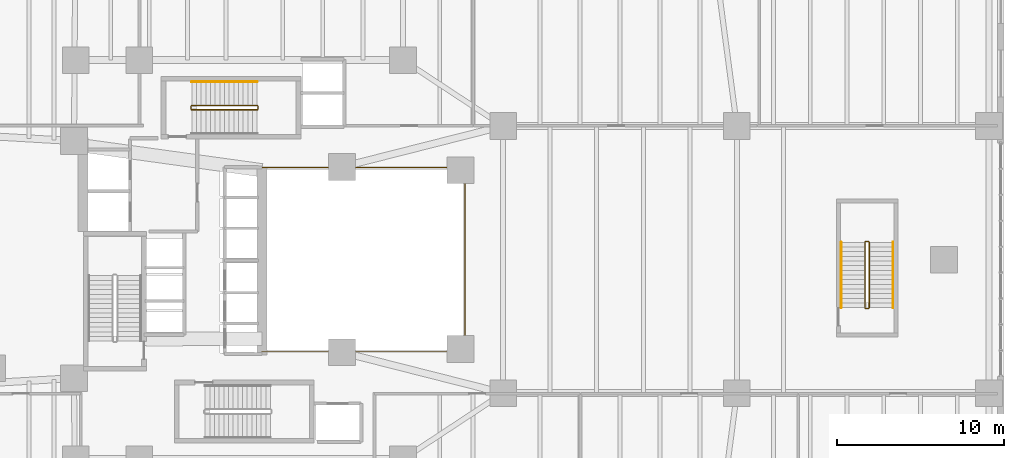
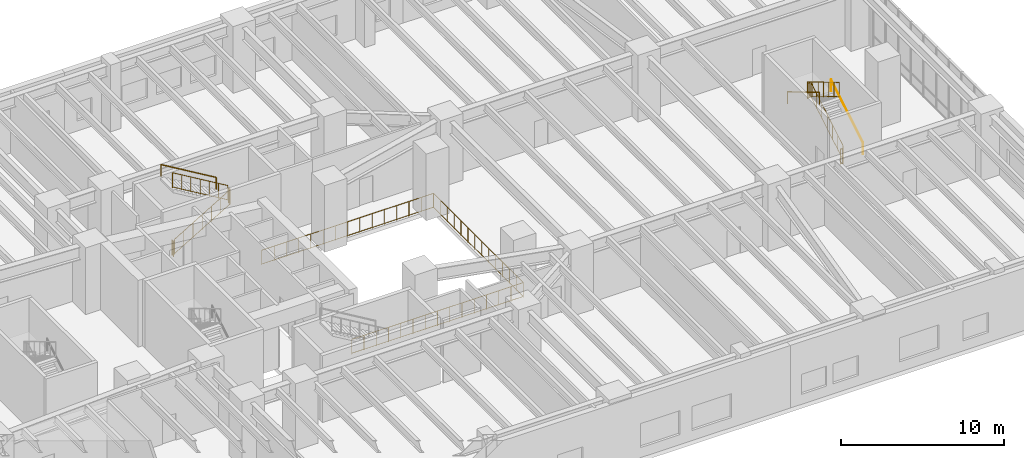
# One storey, part 18 of 18: 12 railings.
"""IFC4 building model written with IfcOpenShell, lengths in metres."""

from ifc_helpers import new_model, si_unit, direction, frame, origin, origin_2d, place, context, subcontext, project, spatial, circle, extrude, material, type_object, element, save


model = new_model("IFC4")

# Units and contexts
model_context = context("Model", 3, precision=1e-05, world=origin(), true_north=direction((0.0, 1.0)))
body_context = subcontext(model_context, "Body", "Model", "MODEL_VIEW")
ifc_project = project(units=[si_unit("LENGTHUNIT", "METRE"), si_unit("AREAUNIT", "SQUARE_METRE"), si_unit("VOLUMEUNIT", "CUBIC_METRE"), si_unit("PLANEANGLEUNIT", "RADIAN"), si_unit("MASSUNIT", "GRAM", prefix="KILO"), si_unit("THERMODYNAMICTEMPERATUREUNIT", "KELVIN"), si_unit("POWERUNIT", "WATT")], contexts=[model_context])

# Site, building, storey
site_placement = place(None, origin())
site = spatial("IfcSite", under=ifc_project, at=site_placement, CompositionType="ELEMENT")
building_placement = place(site_placement, origin())
building = spatial("IfcBuilding", under=site, at=building_placement, Name="Skarre Station Tower", CompositionType="ELEMENT")
storey_placement = place(building_placement, frame((0.0, 0.0, 11.0)))
storey = spatial("IfcBuildingStorey", under=building, at=storey_placement, Name="L03", CompositionType="ELEMENT", Elevation=11.0)

# Railings
ifc_material_1 = material(Name="Bronze Anodized Steel & Laminated Glass Balustrade", Category="steel")
railing_type_1 = type_object("IfcRailingType", Name="Atrium Void & Mezzanine Guard Balustrade 1120", PredefinedType="GUARDRAIL", material=ifc_material_1)
railing_1_placement = place(storey_placement, frame((27.550048828125, 18.47998046875, 0.0)))
element("IfcRailing", 1, at=railing_1_placement, inside=storey, type_object=railing_type_1, Name="L03 Atrium Void Guard Balustrade", PredefinedType="GUARDRAIL", context=body_context, shape_type="SweptSolid", body=[
    extrude(circle(Radius=0.02392578125, at=origin_2d()), frame((0.0, 0.0, 1.09619140625), z_axis=(1.0, 0.0, 0.0), x_axis=(0.0, 1.0, 0.0)), (0.0, 0.0, 1.0), 12.169921875),
    extrude(circle(Radius=0.02099609375, at=origin_2d()), frame((0.0, 0.0, 0.06005859375), z_axis=(1.0, 0.0, 0.0), x_axis=(0.0, 1.0, 0.0)), (0.0, 0.0, 1.0), 12.169921875),
    extrude(circle(Radius=0.02392578125, at=origin_2d()), frame((12.169921875, 0.0, 1.09619140625), z_axis=(0.0, 1.0, 0.0), x_axis=(-1.0, 0.0, 0.0)), (0.0, 0.0, 1.0), 11.0400390625),
    extrude(circle(Radius=0.02099609375, at=origin_2d()), frame((12.169921875, 0.0, 0.06005859375), z_axis=(0.0, 1.0, 0.0), x_axis=(-1.0, 0.0, 0.0)), (0.0, 0.0, 1.0), 11.0400390625),
    extrude(circle(Radius=0.02392578125, at=origin_2d()), frame((12.169921875, 11.0400390625, 1.09619140625), z_axis=(-1.0, 0.0, 0.0), x_axis=(0.0, -1.0, 0.0)), (0.0, 0.0, 1.0), 12.169921875),
    extrude(circle(Radius=0.02099609375, at=origin_2d()), frame((12.169921875, 11.0400390625, 0.06005859375), z_axis=(-1.0, 0.0, 0.0), x_axis=(0.0, -1.0, 0.0)), (0.0, 0.0, 1.0), 12.169921875),
    extrude(circle(Radius=0.02099609375, at=origin_2d()), origin(), (0.0, 0.0, 1.0), 1.072021484375),
    extrude(circle(Radius=0.02099609375, at=origin_2d()), frame((0.869384765625, 0.0, 0.0)), (0.0, 0.0, 1.0), 1.072021484375),
    extrude(circle(Radius=0.02099609375, at=origin_2d()), frame((1.738525390625, 0.0, 0.0)), (0.0, 0.0, 1.0), 1.072021484375),
    extrude(circle(Radius=0.02099609375, at=origin_2d()), frame((2.60791015625, 0.0, 0.0)), (0.0, 0.0, 1.0), 1.072021484375),
    extrude(circle(Radius=0.02099609375, at=origin_2d()), frame((3.47705078125, 0.0, 0.0)), (0.0, 0.0, 1.0), 1.072021484375),
    extrude(circle(Radius=0.02099609375, at=origin_2d()), frame((4.346435546875, 0.0, 0.0)), (0.0, 0.0, 1.0), 1.072021484375),
    extrude(circle(Radius=0.02099609375, at=origin_2d()), frame((5.215576171875, 0.0, 0.0)), (0.0, 0.0, 1.0), 1.072021484375),
    extrude(circle(Radius=0.02099609375, at=origin_2d()), frame((6.0849609375, 0.0, 0.0)), (0.0, 0.0, 1.0), 1.072021484375),
    extrude(circle(Radius=0.02099609375, at=origin_2d()), frame((6.954345703125, 0.0, 0.0)), (0.0, 0.0, 1.0), 1.072021484375),
    extrude(circle(Radius=0.02099609375, at=origin_2d()), frame((7.823486328125, 0.0, 0.0)), (0.0, 0.0, 1.0), 1.072021484375),
    extrude(circle(Radius=0.02099609375, at=origin_2d()), frame((8.69287109375, 0.0, 0.0)), (0.0, 0.0, 1.0), 1.072021484375),
    extrude(circle(Radius=0.02099609375, at=origin_2d()), frame((9.56201171875, 0.0, 0.0)), (0.0, 0.0, 1.0), 1.072021484375),
    extrude(circle(Radius=0.02099609375, at=origin_2d()), frame((10.431396484375, 0.0, 0.0)), (0.0, 0.0, 1.0), 1.072021484375),
    extrude(circle(Radius=0.02099609375, at=origin_2d()), frame((11.300537109375, 0.0, 0.0)), (0.0, 0.0, 1.0), 1.072021484375),
    extrude(circle(Radius=0.02099609375, at=origin_2d()), frame((12.169921875, 0.0, 0.0)), (0.0, 0.0, 1.0), 1.072021484375),
    extrude(circle(Radius=0.02099609375, at=origin_2d()), frame((12.169921875, 0.84912109375, 0.0)), (0.0, 0.0, 1.0), 1.072021484375),
    extrude(circle(Radius=0.02099609375, at=origin_2d()), frame((12.169921875, 1.698486328125, 0.0)), (0.0, 0.0, 1.0), 1.072021484375),
    extrude(circle(Radius=0.02099609375, at=origin_2d()), frame((12.169921875, 2.547607421875, 0.0)), (0.0, 0.0, 1.0), 1.072021484375),
    extrude(circle(Radius=0.02099609375, at=origin_2d()), frame((12.169921875, 3.39697265625, 0.0)), (0.0, 0.0, 1.0), 1.072021484375),
    extrude(circle(Radius=0.02099609375, at=origin_2d()), frame((12.169921875, 4.24609375, 0.0)), (0.0, 0.0, 1.0), 1.072021484375),
    extrude(circle(Radius=0.02099609375, at=origin_2d()), frame((12.169921875, 5.095458984375, 0.0)), (0.0, 0.0, 1.0), 1.072021484375),
    extrude(circle(Radius=0.02099609375, at=origin_2d()), frame((12.169921875, 5.944580078125, 0.0)), (0.0, 0.0, 1.0), 1.072021484375),
    extrude(circle(Radius=0.02099609375, at=origin_2d()), frame((12.169921875, 6.7939453125, 0.0)), (0.0, 0.0, 1.0), 1.072021484375),
    extrude(circle(Radius=0.02099609375, at=origin_2d()), frame((12.169921875, 7.64306640625, 0.0)), (0.0, 0.0, 1.0), 1.072021484375),
    extrude(circle(Radius=0.02099609375, at=origin_2d()), frame((12.169921875, 8.492431640625, 0.0)), (0.0, 0.0, 1.0), 1.072021484375),
    extrude(circle(Radius=0.02099609375, at=origin_2d()), frame((12.169921875, 9.341552734375, 0.0)), (0.0, 0.0, 1.0), 1.072021484375),
    extrude(circle(Radius=0.02099609375, at=origin_2d()), frame((12.169921875, 10.19091796875, 0.0)), (0.0, 0.0, 1.0), 1.072021484375),
    extrude(circle(Radius=0.02099609375, at=origin_2d()), frame((12.169921875, 11.0400390625, 0.0)), (0.0, 0.0, 1.0), 1.072021484375),
    extrude(circle(Radius=0.02099609375, at=origin_2d()), frame((11.300537109375, 11.0400390625, 0.0)), (0.0, 0.0, 1.0), 1.072021484375),
    extrude(circle(Radius=0.02099609375, at=origin_2d()), frame((10.431396484375, 11.0400390625, 0.0)), (0.0, 0.0, 1.0), 1.072021484375),
    extrude(circle(Radius=0.02099609375, at=origin_2d()), frame((9.56201171875, 11.0400390625, 0.0)), (0.0, 0.0, 1.0), 1.072021484375),
    extrude(circle(Radius=0.02099609375, at=origin_2d()), frame((8.69287109375, 11.0400390625, 0.0)), (0.0, 0.0, 1.0), 1.072021484375),
    extrude(circle(Radius=0.02099609375, at=origin_2d()), frame((7.823486328125, 11.0400390625, 0.0)), (0.0, 0.0, 1.0), 1.072021484375),
    extrude(circle(Radius=0.02099609375, at=origin_2d()), frame((6.954345703125, 11.0400390625, 0.0)), (0.0, 0.0, 1.0), 1.072021484375),
    extrude(circle(Radius=0.02099609375, at=origin_2d()), frame((6.0849609375, 11.0400390625, 0.0)), (0.0, 0.0, 1.0), 1.072021484375),
    extrude(circle(Radius=0.02099609375, at=origin_2d()), frame((5.215576171875, 11.0400390625, 0.0)), (0.0, 0.0, 1.0), 1.072021484375),
    extrude(circle(Radius=0.02099609375, at=origin_2d()), frame((4.346435546875, 11.0400390625, 0.0)), (0.0, 0.0, 1.0), 1.072021484375),
    extrude(circle(Radius=0.02099609375, at=origin_2d()), frame((3.47705078125, 11.0400390625, 0.0)), (0.0, 0.0, 1.0), 1.072021484375),
    extrude(circle(Radius=0.02099609375, at=origin_2d()), frame((2.60791015625, 11.0400390625, 0.0)), (0.0, 0.0, 1.0), 1.072021484375),
    extrude(circle(Radius=0.02099609375, at=origin_2d()), frame((1.738525390625, 11.0400390625, 0.0)), (0.0, 0.0, 1.0), 1.072021484375),
    extrude(circle(Radius=0.02099609375, at=origin_2d()), frame((0.869384765625, 11.0400390625, 0.0)), (0.0, 0.0, 1.0), 1.072021484375),
    extrude(circle(Radius=0.02099609375, at=origin_2d()), frame((0.0, 11.0400390625, 0.0)), (0.0, 0.0, 1.0), 1.072021484375),
])
ifc_material_2 = material(Name="Powder-Coated Tubular Steel", Category="steel")
railing_type_2 = type_object("IfcRailingType", Name="Painted Steel Ramp & Stair Handrail 920", PredefinedType="HANDRAIL", material=ifc_material_2)
railing_2_placement = place(storey_placement, frame((27.27001953125, 34.64990234375, 2.666748046875)))
element("IfcRailing", 2, at=railing_2_placement, inside=storey, type_object=railing_type_2, Name="L03 ST-3 stair handrail 2", PredefinedType="HANDRAIL", context=body_context, shape_type="SweptSolid", body=[
    extrude(circle(Radius=0.02392578125, at=origin_2d()), frame((0.0, 0.0, 0.8759765625), z_axis=(-0.859296244711, 0.0, 0.511478214419), x_axis=(0.0, -1.0, 0.0)), (0.0, 0.0, 1.0), 4.561767578125),
    extrude(circle(Radius=0.02099609375, at=origin_2d()), origin(), (0.0, 0.0, 1.0), 0.851806640625),
    extrude(circle(Radius=0.02099609375, at=origin_2d()), frame((-3.919921875, 0.0, 2.333251953125)), (0.0, 0.0, 1.0), 0.851806640625),
])
railing_3_placement = place(storey_placement, frame((65.35009765625, 21.1201171875, 0.166748046875)))
element("IfcRailing", 3, at=railing_3_placement, inside=storey, type_object=railing_type_2, Name="L03 ST-5 stair handrail 1", PredefinedType="HANDRAIL", context=body_context, shape_type="SweptSolid", body=[
    extrude(circle(Radius=0.02392578125, at=origin_2d()), frame((0.0, 0.0, 0.8759765625), z_axis=(0.0, 0.859296244711, 0.511478214419), x_axis=(-1.0, 0.0, 0.0)), (0.0, 0.0, 1.0), 4.561767578125),
    extrude(circle(Radius=0.02099609375, at=origin_2d()), origin(), (0.0, 0.0, 1.0), 0.851806640625),
    extrude(circle(Radius=0.02099609375, at=origin_2d()), frame((0.0, 3.919921875, 2.333251953125)), (0.0, 0.0, 1.0), 0.851806640625),
])
railing_4_placement = place(storey_placement, frame((62.25, 25.0400390625, 2.666748046875)))
element("IfcRailing", 4, at=railing_4_placement, inside=storey, type_object=railing_type_2, Name="L03 ST-5 stair handrail 2", PredefinedType="HANDRAIL", context=body_context, shape_type="SweptSolid", body=[
    extrude(circle(Radius=0.02392578125, at=origin_2d()), frame((0.0, 0.0, 0.8759765625), z_axis=(0.0, -0.859296244711, 0.511478214419), x_axis=(1.0, 0.0, 0.0)), (0.0, 0.0, 1.0), 4.561767578125),
    extrude(circle(Radius=0.02099609375, at=origin_2d()), origin(), (0.0, 0.0, 1.0), 0.851806640625),
    extrude(circle(Radius=0.02099609375, at=origin_2d()), frame((0.0, -3.919921875, 2.333251953125)), (0.0, 0.0, 1.0), 0.851806640625),
])
railing_type_3 = type_object("IfcRailingType", Name="Painted Steel Stairwell Guardrail 1100", PredefinedType="GUARDRAIL", material=ifc_material_2)
railing_5_placement = place(storey_placement, frame((23.35009765625, 32.969970703125, 0.166748046875)))
element("IfcRailing", 5, at=railing_5_placement, inside=storey, type_object=railing_type_3, Name="L03 ST-3 stair guard 1", PredefinedType="GUARDRAIL", context=body_context, shape_type="SweptSolid", body=[
    extrude(circle(Radius=0.02392578125, at=origin_2d()), frame((0.0, 0.0, 1.1259765625), z_axis=(0.859296244711, 0.0, 0.511478214419), x_axis=(0.0, 1.0, 0.0)), (0.0, 0.0, 1.0), 4.561767578125),
    extrude(circle(Radius=0.02099609375, at=origin_2d()), frame((0.0, 0.0, 0.06005859375), z_axis=(0.859296244711, 0.0, 0.511478214419), x_axis=(0.0, 1.0, 0.0)), (0.0, 0.0, 1.0), 4.561767578125),
    extrude(circle(Radius=0.02099609375, at=origin_2d()), origin(), (0.0, 0.0, 1.0), 1.101806640625),
    extrude(circle(Radius=0.02099609375, at=origin_2d()), frame((0.6533203125, 0.0, 0.388916015625)), (0.0, 0.0, 1.0), 1.101806640625),
    extrude(circle(Radius=0.02099609375, at=origin_2d()), frame((1.306640625, 0.0, 0.77783203125)), (0.0, 0.0, 1.0), 1.101806640625),
    extrude(circle(Radius=0.02099609375, at=origin_2d()), frame((1.9599609375, 0.0, 1.16650390625)), (0.0, 0.0, 1.0), 1.101806640625),
    extrude(circle(Radius=0.02099609375, at=origin_2d()), frame((2.61328125, 0.0, 1.555419921875)), (0.0, 0.0, 1.0), 1.101806640625),
    extrude(circle(Radius=0.02099609375, at=origin_2d()), frame((3.2666015625, 0.0, 1.9443359375)), (0.0, 0.0, 1.0), 1.101806640625),
    extrude(circle(Radius=0.02099609375, at=origin_2d()), frame((3.919921875, 0.0, 2.333251953125)), (0.0, 0.0, 1.0), 1.101806640625),
])
railing_6_placement = place(storey_placement, frame((27.320068359375, 33.02001953125, 2.5)))
element("IfcRailing", 6, at=railing_6_placement, inside=storey, type_object=railing_type_3, Name="L03 ST-3 stair guard 2", PredefinedType="GUARDRAIL", context=body_context, shape_type="SweptSolid", body=[
    extrude(circle(Radius=0.02392578125, at=origin_2d()), frame((0.0, 0.0, 1.1259765625), z_axis=(0.0, 1.0, 0.0), x_axis=(-1.0, 0.0, 0.0)), (0.0, 0.0, 1.0), 0.159912109375),
    extrude(circle(Radius=0.02099609375, at=origin_2d()), frame((0.0, 0.0, 0.06005859375), z_axis=(0.0, 1.0, 0.0), x_axis=(-1.0, 0.0, 0.0)), (0.0, 0.0, 1.0), 0.159912109375),
    extrude(circle(Radius=0.02099609375, at=origin_2d()), origin(), (0.0, 0.0, 1.0), 1.101806640625),
    extrude(circle(Radius=0.02099609375, at=origin_2d()), frame((0.0, 0.159912109375, 0.0)), (0.0, 0.0, 1.0), 1.101806640625),
])
railing_7_placement = place(storey_placement, frame((27.27001953125, 33.22998046875, 2.666748046875)))
element("IfcRailing", 7, at=railing_7_placement, inside=storey, type_object=railing_type_3, Name="L03 ST-3 stair guard 3", PredefinedType="GUARDRAIL", context=body_context, shape_type="SweptSolid", body=[
    extrude(circle(Radius=0.02392578125, at=origin_2d()), frame((0.0, 0.0, 1.1259765625), z_axis=(-0.859296244711, 0.0, 0.511478214419), x_axis=(0.0, -1.0, 0.0)), (0.0, 0.0, 1.0), 4.561767578125),
    extrude(circle(Radius=0.02099609375, at=origin_2d()), frame((0.0, 0.0, 0.06005859375), z_axis=(-0.859296244711, 0.0, 0.511478214419), x_axis=(0.0, -1.0, 0.0)), (0.0, 0.0, 1.0), 4.561767578125),
    extrude(circle(Radius=0.02099609375, at=origin_2d()), origin(), (0.0, 0.0, 1.0), 1.101806640625),
    extrude(circle(Radius=0.02099609375, at=origin_2d()), frame((-0.6533203125, 0.0, 0.388916015625)), (0.0, 0.0, 1.0), 1.101806640625),
    extrude(circle(Radius=0.02099609375, at=origin_2d()), frame((-1.306640625, 0.0, 0.77783203125)), (0.0, 0.0, 1.0), 1.101806640625),
    extrude(circle(Radius=0.02099609375, at=origin_2d()), frame((-1.9599609375, 0.0, 1.16650390625)), (0.0, 0.0, 1.0), 1.101806640625),
    extrude(circle(Radius=0.02099609375, at=origin_2d()), frame((-2.61328125, 0.0, 1.555419921875)), (0.0, 0.0, 1.0), 1.101806640625),
    extrude(circle(Radius=0.02099609375, at=origin_2d()), frame((-3.2666015625, 0.0, 1.9443359375)), (0.0, 0.0, 1.0), 1.101806640625),
    extrude(circle(Radius=0.02099609375, at=origin_2d()), frame((-3.919921875, 0.0, 2.333251953125)), (0.0, 0.0, 1.0), 1.101806640625),
])
railing_8_placement = place(storey_placement, frame((23.300048828125, 33.02001953125, 0.0)))
element("IfcRailing", 8, at=railing_8_placement, inside=storey, type_object=railing_type_3, Name="L03 ST-3 stair guard 4", PredefinedType="GUARDRAIL", context=body_context, shape_type="SweptSolid", body=[
    extrude(circle(Radius=0.02392578125, at=origin_2d()), frame((0.0, 0.0, 1.1259765625), z_axis=(0.0, 1.0, 0.0), x_axis=(-1.0, 0.0, 0.0)), (0.0, 0.0, 1.0), 0.159912109375),
    extrude(circle(Radius=0.02099609375, at=origin_2d()), frame((0.0, 0.0, 0.06005859375), z_axis=(0.0, 1.0, 0.0), x_axis=(-1.0, 0.0, 0.0)), (0.0, 0.0, 1.0), 0.159912109375),
    extrude(circle(Radius=0.02099609375, at=origin_2d()), origin(), (0.0, 0.0, 1.0), 1.101806640625),
    extrude(circle(Radius=0.02099609375, at=origin_2d()), frame((0.0, 0.159912109375, 0.0)), (0.0, 0.0, 1.0), 1.101806640625),
])
railing_9_placement = place(storey_placement, frame((63.929931640625, 21.1201171875, 0.166748046875)))
element("IfcRailing", 9, at=railing_9_placement, inside=storey, type_object=railing_type_3, Name="L03 ST-5 stair guard 1", PredefinedType="GUARDRAIL", context=body_context, shape_type="SweptSolid", body=[
    extrude(circle(Radius=0.02392578125, at=origin_2d()), frame((0.0, 0.0, 1.1259765625), z_axis=(0.0, 0.859296244711, 0.511478214419), x_axis=(-1.0, 0.0, 0.0)), (0.0, 0.0, 1.0), 4.561767578125),
    extrude(circle(Radius=0.02099609375, at=origin_2d()), frame((0.0, 0.0, 0.06005859375), z_axis=(0.0, 0.859296244711, 0.511478214419), x_axis=(-1.0, 0.0, 0.0)), (0.0, 0.0, 1.0), 4.561767578125),
    extrude(circle(Radius=0.02099609375, at=origin_2d()), origin(), (0.0, 0.0, 1.0), 1.101806640625),
    extrude(circle(Radius=0.02099609375, at=origin_2d()), frame((0.0, 0.6533203125, 0.388916015625)), (0.0, 0.0, 1.0), 1.101806640625),
    extrude(circle(Radius=0.02099609375, at=origin_2d()), frame((0.0, 1.306640625, 0.77783203125)), (0.0, 0.0, 1.0), 1.101806640625),
    extrude(circle(Radius=0.02099609375, at=origin_2d()), frame((0.0, 1.9599609375, 1.16650390625)), (0.0, 0.0, 1.0), 1.101806640625),
    extrude(circle(Radius=0.02099609375, at=origin_2d()), frame((0.0, 2.61328125, 1.555419921875)), (0.0, 0.0, 1.0), 1.101806640625),
    extrude(circle(Radius=0.02099609375, at=origin_2d()), frame((0.0, 3.2666015625, 1.9443359375)), (0.0, 0.0, 1.0), 1.101806640625),
    extrude(circle(Radius=0.02099609375, at=origin_2d()), frame((0.0, 3.919921875, 2.333251953125)), (0.0, 0.0, 1.0), 1.101806640625),
])
railing_10_placement = place(storey_placement, frame((63.8798828125, 25.090087890625, 2.5)))
element("IfcRailing", 10, at=railing_10_placement, inside=storey, type_object=railing_type_3, Name="L03 ST-5 stair guard 2", PredefinedType="GUARDRAIL", context=body_context, shape_type="SweptSolid", body=[
    extrude(circle(Radius=0.02392578125, at=origin_2d()), frame((0.0, 0.0, 1.1259765625), z_axis=(-1.0, 0.0, 0.0), x_axis=(0.0, -1.0, 0.0)), (0.0, 0.0, 1.0), 0.159912109375),
    extrude(circle(Radius=0.02099609375, at=origin_2d()), frame((0.0, 0.0, 0.06005859375), z_axis=(-1.0, 0.0, 0.0), x_axis=(0.0, -1.0, 0.0)), (0.0, 0.0, 1.0), 0.159912109375),
    extrude(circle(Radius=0.02099609375, at=origin_2d()), origin(), (0.0, 0.0, 1.0), 1.101806640625),
    extrude(circle(Radius=0.02099609375, at=origin_2d()), frame((-0.159912109375, 0.0, 0.0)), (0.0, 0.0, 1.0), 1.101806640625),
])
railing_11_placement = place(storey_placement, frame((63.669921875, 25.0400390625, 2.666748046875)))
element("IfcRailing", 11, at=railing_11_placement, inside=storey, type_object=railing_type_3, Name="L03 ST-5 stair guard 3", PredefinedType="GUARDRAIL", context=body_context, shape_type="SweptSolid", body=[
    extrude(circle(Radius=0.02392578125, at=origin_2d()), frame((0.0, 0.0, 1.1259765625), z_axis=(0.0, -0.859296244711, 0.511478214419), x_axis=(1.0, 0.0, 0.0)), (0.0, 0.0, 1.0), 4.561767578125),
    extrude(circle(Radius=0.02099609375, at=origin_2d()), frame((0.0, 0.0, 0.06005859375), z_axis=(0.0, -0.859296244711, 0.511478214419), x_axis=(1.0, 0.0, 0.0)), (0.0, 0.0, 1.0), 4.561767578125),
    extrude(circle(Radius=0.02099609375, at=origin_2d()), origin(), (0.0, 0.0, 1.0), 1.101806640625),
    extrude(circle(Radius=0.02099609375, at=origin_2d()), frame((0.0, -0.6533203125, 0.388916015625)), (0.0, 0.0, 1.0), 1.101806640625),
    extrude(circle(Radius=0.02099609375, at=origin_2d()), frame((0.0, -1.306640625, 0.77783203125)), (0.0, 0.0, 1.0), 1.101806640625),
    extrude(circle(Radius=0.02099609375, at=origin_2d()), frame((0.0, -1.9599609375, 1.16650390625)), (0.0, 0.0, 1.0), 1.101806640625),
    extrude(circle(Radius=0.02099609375, at=origin_2d()), frame((0.0, -2.61328125, 1.555419921875)), (0.0, 0.0, 1.0), 1.101806640625),
    extrude(circle(Radius=0.02099609375, at=origin_2d()), frame((0.0, -3.2666015625, 1.9443359375)), (0.0, 0.0, 1.0), 1.101806640625),
    extrude(circle(Radius=0.02099609375, at=origin_2d()), frame((0.0, -3.919921875, 2.333251953125)), (0.0, 0.0, 1.0), 1.101806640625),
])
railing_12_placement = place(storey_placement, frame((63.8798828125, 21.070068359375, 0.0)))
element("IfcRailing", 12, at=railing_12_placement, inside=storey, type_object=railing_type_3, Name="L03 ST-5 stair guard 4", PredefinedType="GUARDRAIL", context=body_context, shape_type="SweptSolid", body=[
    extrude(circle(Radius=0.02392578125, at=origin_2d()), frame((0.0, 0.0, 1.1259765625), z_axis=(-1.0, 0.0, 0.0), x_axis=(0.0, -1.0, 0.0)), (0.0, 0.0, 1.0), 0.159912109375),
    extrude(circle(Radius=0.02099609375, at=origin_2d()), frame((0.0, 0.0, 0.06005859375), z_axis=(-1.0, 0.0, 0.0), x_axis=(0.0, -1.0, 0.0)), (0.0, 0.0, 1.0), 0.159912109375),
    extrude(circle(Radius=0.02099609375, at=origin_2d()), origin(), (0.0, 0.0, 1.0), 1.101806640625),
    extrude(circle(Radius=0.02099609375, at=origin_2d()), frame((-0.159912109375, 0.0, 0.0)), (0.0, 0.0, 1.0), 1.101806640625),
])

save(model, "model.ifc")
